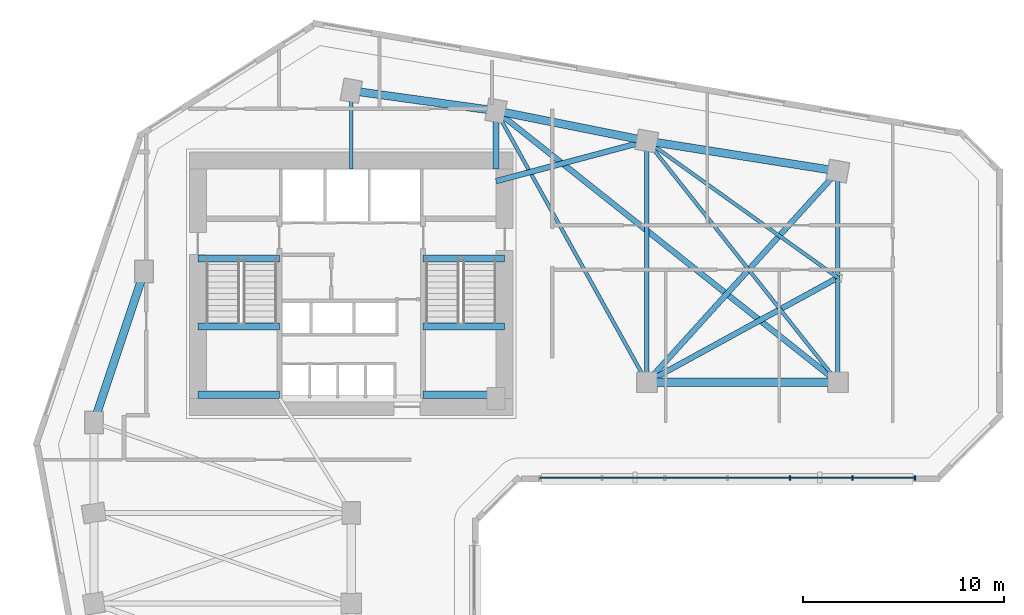
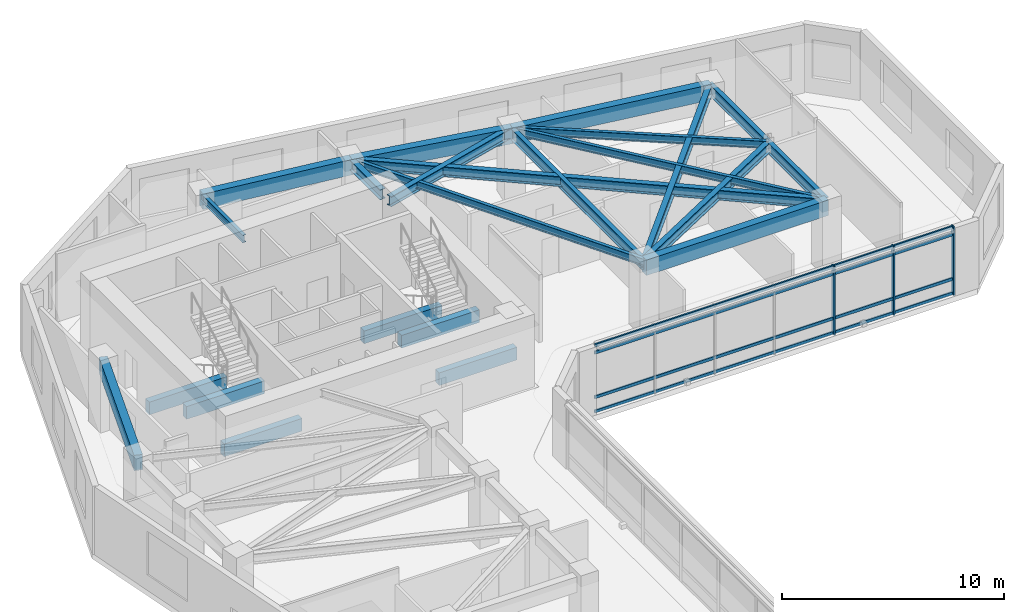
# One storey, part 3 of 9: 22 beams, 7 members, 1 element without a shape of its own.
"""IFC4 building model written with IfcOpenShell, lengths in metres."""

from ifc_helpers import new_model, si_unit, direction, frame, origin, origin_2d, place, context, subcontext, project, spatial, rectangle, i_section, extrude, source, transform, mapped, material, material_profile, profile_set, type_object, element, aggregate, save


model = new_model("IFC4")

# Units and contexts
model_context = context("Model", 3, precision=1e-05, world=origin(), true_north=direction((0.0, 1.0)))
body_context = subcontext(model_context, "Body", "Model", "MODEL_VIEW")
ifc_project = project(units=[si_unit("LENGTHUNIT", "METRE"), si_unit("AREAUNIT", "SQUARE_METRE"), si_unit("VOLUMEUNIT", "CUBIC_METRE"), si_unit("PLANEANGLEUNIT", "RADIAN"), si_unit("MASSUNIT", "GRAM", prefix="KILO")], contexts=[model_context])

# Site, building, storey
site_placement = place(None, origin())
site = spatial("IfcSite", under=ifc_project, at=site_placement, CompositionType="ELEMENT")
building_placement = place(site_placement, origin())
building = spatial("IfcBuilding", under=site, at=building_placement, Name="Calvemar Wedge Station Tower", CompositionType="ELEMENT")
storey_placement = place(building_placement, frame((0.0, 0.0, 63.0)))
storey = spatial("IfcBuildingStorey", under=building, at=storey_placement, Name="L15", CompositionType="ELEMENT", Elevation=63.0)

# Beams
ifc_material_1 = material(Name="Concrete C70", Category="concrete")
ifc_material_profile_1 = material_profile(ifc_material_1, rectangle(XDim=0.35009765625, YDim=0.699951171875, at=origin_2d()), Name="RC350x700")
ifc_profile_set_1 = profile_set([ifc_material_profile_1], Name="Concrete C70")
beam_type_1 = type_object("IfcBeamType", Name="BM-LN1-700", PredefinedType="LINTEL", material=ifc_profile_set_1)
shared_shape_1 = source(origin(), body_context, "Body", "SweptSolid", [
    extrude(rectangle(XDim=0.35009765625, YDim=0.699951171875, at=origin_2d()), origin(), (0.0, 0.0, 1.0), 4.054931640625),
])
for number, where, z_axis, x_axis, name in (
    (1, (16.175048828125, 41.14990234375, -0.35009765625), (1.0, 0.0, 0.0), (0.0, 1.0, 0.0), "Storey L15 Stair ST-C1 Landing Trimmer Beam"),
    (2, (27.3701171875, 41.14990234375, -0.35009765625), (1.0, 0.0, 0.0), (0.0, 1.0, 0.0), "Storey L15 Stair ST-C2 Landing Trimmer Beam"),
    (3, (16.175048828125, 34.3798828125, 1.449951171875), (1.0, 0.0, 0.0), (0.0, 1.0, 0.0), "Storey L15 Stair ST-C1 Half-Landing Beam 1A"),
    (4, (16.175048828125, 37.780029296875, 1.449951171875), (1.0, 0.0, 0.0), (0.0, 1.0, 0.0), "Storey L15 Stair ST-C1 Half-Landing Beam 1B"),
    (5, (27.3701171875, 34.3798828125, 1.449951171875), (1.0, 0.0, 0.0), (0.0, 1.0, 0.0), "Storey L15 Stair ST-C2 Half-Landing Beam 1A"),
    (6, (27.3701171875, 37.780029296875, 1.449951171875), (1.0, 0.0, 0.0), (0.0, 1.0, 0.0), "Storey L15 Stair ST-C2 Half-Landing Beam 1B"),
):
    element("IfcBeam", number, at=place(storey_placement, frame(where, z_axis=z_axis, x_axis=x_axis)), inside=storey, type_object=beam_type_1, Name=name, PredefinedType="LINTEL", context=body_context, shape_type="MappedRepresentation", body=[
        mapped(shared_shape_1, transform((0.0, 0.0, 0.0), scale=1.0)),
    ])
ifc_material_2 = material(Name="Concrete C60", Category="concrete")
ifc_material_profile_2 = material_profile(ifc_material_2, rectangle(XDim=0.39990234375, YDim=0.85009765625, at=origin_2d()), Name="RC400x850")
ifc_profile_set_2 = profile_set([ifc_material_profile_2], Name="Concrete C60")
beam_type_2 = type_object("IfcBeamType", Name="BM-SP1-850", PredefinedType="SPANDREL", material=ifc_profile_set_2)
shared_shape_2 = source(origin(), body_context, "Body", "SweptSolid", [
    extrude(rectangle(XDim=0.39990234375, YDim=0.85009765625, at=origin_2d()), origin(), (0.0, 0.0, 1.0), 7.90576171875),
])
beam_1_placement = place(storey_placement, frame((11.0, 33.0, 3.324951171875), z_axis=(0.316227766017, 0.948683298051, 0.0), x_axis=(-0.948683298051, 0.316227766017, 0.0)))
element("IfcBeam", 7, at=beam_1_placement, inside=storey, type_object=beam_type_2, Name="Storey L15 Spandrel T-NW1-T-NW2", PredefinedType="SPANDREL", context=body_context, shape_type="MappedRepresentation", body=[
    mapped(shared_shape_2, transform((0.0, 0.0, 0.0), scale=1.0)),
])
shared_shape_3 = source(origin(), body_context, "Body", "SweptSolid", [
    extrude(rectangle(XDim=0.39990234375, YDim=0.85009765625, at=origin_2d()), origin(), (0.0, 0.0, 1.0), 7.26904296875),
])
beam_2_placement = place(storey_placement, frame((23.800048828125, 49.5, 3.324951171875), z_axis=(0.990492146053, -0.13756928657, 0.0), x_axis=(0.13756928657, 0.990492146053, 0.0)))
element("IfcBeam", 8, at=beam_2_placement, inside=storey, type_object=beam_type_2, Name="Storey L15 Spandrel T-N1-T-N2", PredefinedType="SPANDREL", context=body_context, shape_type="MappedRepresentation", body=[
    mapped(shared_shape_3, transform((0.0, 0.0, 0.0), scale=1.0)),
])
shared_shape_4 = source(origin(), body_context, "Body", "SweptSolid", [
    extrude(rectangle(XDim=0.39990234375, YDim=0.85009765625, at=origin_2d()), origin(), (0.0, 0.0, 1.0), 7.6484375),
])
beam_3_placement = place(storey_placement, frame((31.0, 48.5, 3.324951171875), z_axis=(0.980580675691, -0.196116135138, 0.0), x_axis=(0.196116135138, 0.980580675691, 0.0)))
element("IfcBeam", 9, at=beam_3_placement, inside=storey, type_object=beam_type_2, Name="Storey L15 Spandrel T-N2-T-NU3", PredefinedType="SPANDREL", context=body_context, shape_type="MappedRepresentation", body=[
    mapped(shared_shape_4, transform((0.0, 0.0, 0.0), scale=1.0)),
])
shared_shape_5 = source(origin(), body_context, "Body", "SweptSolid", [
    extrude(rectangle(XDim=0.39990234375, YDim=0.85009765625, at=origin_2d()), origin(), (0.0, 0.0, 1.0), 9.61767578125),
])
beam_4_placement = place(storey_placement, frame((38.5, 47.0, 3.324951171875), z_axis=(0.987762965329, -0.155962573473, 0.0), x_axis=(0.155962573473, 0.987762965329, 0.0)))
element("IfcBeam", 10, at=beam_4_placement, inside=storey, type_object=beam_type_2, Name="Storey L15 Spandrel T-NU3-T-NU4", PredefinedType="SPANDREL", context=body_context, shape_type="MappedRepresentation", body=[
    mapped(shared_shape_5, transform((0.0, 0.0, 0.0), scale=1.0)),
])
shared_shape_6 = source(origin(), body_context, "Body", "SweptSolid", [
    extrude(rectangle(XDim=0.39990234375, YDim=0.85009765625, at=origin_2d()), origin(), (0.0, 0.0, 1.0), 9.5),
])
beam_5_placement = place(storey_placement, frame((38.5, 35.0, 3.324951171875), z_axis=(1.0, 0.0, 0.0), x_axis=(0.0, 1.0, 0.0)))
element("IfcBeam", 11, at=beam_5_placement, inside=storey, type_object=beam_type_2, Name="Storey L15 Spandrel T-NL2-T-NL3", PredefinedType="SPANDREL", context=body_context, shape_type="MappedRepresentation", body=[
    mapped(shared_shape_6, transform((0.0, 0.0, 0.0), scale=1.0)),
])
ifc_material_3 = material(Name="Structural steel ASTM A572 Grade 50", Category="steel")
ifc_material_profile_3 = material_profile(ifc_material_3, i_section(OverallWidth=0.22998046875, OverallDepth=0.616943359375, WebThickness=0.01318359375, FlangeThickness=0.022216796875, FilletRadius=0.012939453125, at=origin_2d()), Name="W610x140")
ifc_profile_set_3 = profile_set([ifc_material_profile_3], Name="Structural steel ASTM A572 Grade 50")
beam_type_3 = type_object("IfcBeamType", Name="BM-SB2-W610", PredefinedType="BEAM", material=ifc_profile_set_3)
shared_shape_7 = source(origin(), body_context, "Body", "SweptSolid", [
    extrude(i_section(OverallWidth=0.22998046875, OverallDepth=0.616943359375, WebThickness=0.01318359375, FlangeThickness=0.022216796875, FilletRadius=0.012939453125, at=origin_2d()), origin(), (0.0, 0.0, 1.0), 12.0),
])
beam_6_placement = place(storey_placement, frame((38.5, 47.0, 3.44140625), z_axis=(0.0, -1.0, 0.0), x_axis=(1.0, 0.0, 0.0)))
element("IfcBeam", 12, at=beam_6_placement, inside=storey, type_object=beam_type_3, Name="Storey L15 Floor Beam T-NU3-T-NL2", PredefinedType="BEAM", context=body_context, shape_type="MappedRepresentation", body=[
    mapped(shared_shape_7, transform((0.0, 0.0, 0.0), scale=1.0)),
])
shared_shape_8 = source(origin(), body_context, "Body", "SweptSolid", [
    extrude(i_section(OverallWidth=0.22998046875, OverallDepth=0.616943359375, WebThickness=0.01318359375, FlangeThickness=0.022216796875, FilletRadius=0.012939453125, at=origin_2d()), origin(), (0.0, 0.0, 1.0), 10.5),
])
beam_7_placement = place(storey_placement, frame((48.0, 45.5, 3.44140625), z_axis=(0.0, -1.0, 0.0), x_axis=(1.0, 0.0, 0.0)))
element("IfcBeam", 13, at=beam_7_placement, inside=storey, type_object=beam_type_3, Name="Storey L15 Floor Beam T-NU4-T-NL3", PredefinedType="BEAM", context=body_context, shape_type="MappedRepresentation", body=[
    mapped(shared_shape_8, transform((0.0, 0.0, 0.0), scale=1.0)),
])
ifc_material_profile_4 = material_profile(ifc_material_3, i_section(OverallWidth=0.177978515625, OverallDepth=0.406982421875, WebThickness=0.0078125, FlangeThickness=0.0126953125, FilletRadius=0.010009765625, at=origin_2d()), Name="W410x60")
ifc_profile_set_4 = profile_set([ifc_material_profile_4], Name="Structural steel ASTM A572 Grade 50")
beam_type_4 = type_object("IfcBeamType", Name="BM-J3-W410", PredefinedType="JOIST", material=ifc_profile_set_4)
shared_shape_9 = source(origin(), body_context, "Body", "SweptSolid", [
    extrude(i_section(OverallWidth=0.177978515625, OverallDepth=0.406982421875, WebThickness=0.0078125, FlangeThickness=0.0126953125, FilletRadius=0.010009765625, at=origin_2d()), origin(), (0.0, 0.0, 1.0), 15.443359375),
])
beam_8_placement = place(storey_placement, frame((31.0, 48.5, 3.54638671875), z_axis=(0.485642931179, -0.874157276122, 0.0), x_axis=(0.874157276122, 0.485642931179, 0.0)))
element("IfcBeam", 14, at=beam_8_placement, inside=storey, type_object=beam_type_4, Name="Storey L15 Floor Beam T-N2-T-NL2", PredefinedType="JOIST", context=body_context, shape_type="MappedRepresentation", body=[
    mapped(shared_shape_9, transform((0.0, 0.0, 0.0), scale=1.0)),
])
ifc_material_profile_5 = material_profile(ifc_material_3, i_section(OverallWidth=0.279052734375, OverallDepth=0.553955078125, WebThickness=0.017578125, FlangeThickness=0.029541015625, FilletRadius=0.014892578125, at=origin_2d()), Name="W530x196")
ifc_profile_set_5 = profile_set([ifc_material_profile_5], Name="Structural steel ASTM A572 Grade 50")
beam_type_5 = type_object("IfcBeamType", Name="BM-SB3-W530H", PredefinedType="BEAM", material=ifc_profile_set_5)
shared_shape_10 = source(origin(), body_context, "Body", "SweptSolid", [
    extrude(i_section(OverallWidth=0.279052734375, OverallDepth=0.553955078125, WebThickness=0.017578125, FlangeThickness=0.029541015625, FilletRadius=0.014892578125, at=origin_2d()), origin(), (0.0, 0.0, 1.0), 21.708251953125),
])
beam_9_placement = place(storey_placement, frame((31.0, 48.5, 3.472900390625), z_axis=(0.783110847498, -0.621882143602, 0.0), x_axis=(0.621882143602, 0.783110847498, 0.0)))
element("IfcBeam", 15, at=beam_9_placement, inside=storey, type_object=beam_type_5, Name="Storey L15 Floor Beam T-N2-T-NL3", PredefinedType="BEAM", context=body_context, shape_type="MappedRepresentation", body=[
    mapped(shared_shape_10, transform((0.0, 0.0, 0.0), scale=1.0)),
])
shared_shape_11 = source(origin(), body_context, "Body", "SweptSolid", [
    extrude(i_section(OverallWidth=0.177978515625, OverallDepth=0.406982421875, WebThickness=0.0078125, FlangeThickness=0.0126953125, FilletRadius=0.010009765625, at=origin_2d()), origin(), (0.0, 0.0, 1.0), 15.30517578125),
])
beam_10_placement = place(storey_placement, frame((38.5, 47.0, 3.54638671875), z_axis=(0.620702944366, -0.784045824462, 0.0), x_axis=(0.784045824462, 0.620702944366, 0.0)))
element("IfcBeam", 16, at=beam_10_placement, inside=storey, type_object=beam_type_4, Name="Storey L15 Floor Beam T-NU3-T-NL3", PredefinedType="JOIST", context=body_context, shape_type="MappedRepresentation", body=[
    mapped(shared_shape_11, transform((0.0, 0.0, 0.0), scale=1.0)),
])
shared_shape_12 = source(origin(), body_context, "Body", "SweptSolid", [
    extrude(i_section(OverallWidth=0.279052734375, OverallDepth=0.553955078125, WebThickness=0.017578125, FlangeThickness=0.029541015625, FilletRadius=0.014892578125, at=origin_2d()), origin(), (0.0, 0.0, 1.0), 14.159912109375),
])
beam_11_placement = place(storey_placement, frame((38.5, 35.0, 3.472900390625), z_axis=(0.670913323969, 0.741535779124, 0.0), x_axis=(-0.741535779124, 0.670913323969, 0.0)))
element("IfcBeam", 17, at=beam_11_placement, inside=storey, type_object=beam_type_5, Name="Storey L15 Floor Beam T-NL2-T-NU4", PredefinedType="BEAM", context=body_context, shape_type="MappedRepresentation", body=[
    mapped(shared_shape_12, transform((0.0, 0.0, 0.0), scale=1.0)),
])
shared_shape_13 = source(origin(), body_context, "Body", "SweptSolid", [
    extrude(i_section(OverallWidth=0.177978515625, OverallDepth=0.406982421875, WebThickness=0.0078125, FlangeThickness=0.0126953125, FilletRadius=0.010009765625, at=origin_2d()), origin(), (0.0, 0.0, 1.0), 11.682861328125),
])
beam_12_placement = place(storey_placement, frame((48.0, 40.199951171875, 3.54638671875), z_axis=(-0.81315274409, 0.582050354161, 0.0), x_axis=(-0.582050354161, -0.81315274409, 0.0)))
element("IfcBeam", 18, at=beam_12_placement, inside=storey, type_object=beam_type_4, Name="Storey L15 Floor Beam T-NTIP-A-T-NU3", PredefinedType="JOIST", context=body_context, shape_type="MappedRepresentation", body=[
    mapped(shared_shape_13, transform((0.0, 0.0, 0.0), scale=1.0)),
])
shared_shape_14 = source(origin(), body_context, "Body", "SweptSolid", [
    extrude(i_section(OverallWidth=0.279052734375, OverallDepth=0.553955078125, WebThickness=0.017578125, FlangeThickness=0.029541015625, FilletRadius=0.014892578125, at=origin_2d()), origin(), (0.0, 0.0, 1.0), 10.830078125),
])
beam_13_placement = place(storey_placement, frame((48.0, 40.199951171875, 3.472900390625), z_axis=(-0.877190767997, -0.480142017053, 0.0), x_axis=(0.480142017053, -0.877190767997, 0.0)))
element("IfcBeam", 19, at=beam_13_placement, inside=storey, type_object=beam_type_5, Name="Storey L15 Floor Beam T-NTIP-A-T-NL2", PredefinedType="BEAM", context=body_context, shape_type="MappedRepresentation", body=[
    mapped(shared_shape_14, transform((0.0, 0.0, 0.0), scale=1.0)),
])
shared_shape_15 = source(origin(), body_context, "Body", "SweptSolid", [
    extrude(i_section(OverallWidth=0.279052734375, OverallDepth=0.553955078125, WebThickness=0.017578125, FlangeThickness=0.029541015625, FilletRadius=0.014892578125, at=origin_2d()), origin(), (0.0, 0.0, 1.0), 7.76220703125),
])
beam_14_placement = place(storey_placement, frame((31.0, 45.0, 3.472900390625), z_axis=(0.966234939601, 0.25766265056, 0.0), x_axis=(-0.25766265056, 0.966234939601, 0.0)))
element("IfcBeam", 20, at=beam_14_placement, inside=storey, type_object=beam_type_5, Name="Storey L15 Core-to-Column Joist CJ-E2", PredefinedType="BEAM", context=body_context, shape_type="MappedRepresentation", body=[
    mapped(shared_shape_15, transform((0.0, 0.0, 0.0), scale=1.0)),
])
shared_shape_16 = source(origin(), body_context, "Body", "SweptSolid", [
    extrude(i_section(OverallWidth=0.177978515625, OverallDepth=0.406982421875, WebThickness=0.0078125, FlangeThickness=0.0126953125, FilletRadius=0.010009765625, at=origin_2d()), origin(), (0.0, 0.0, 1.0), 3.89990234375),
])
beam_15_placement = place(storey_placement, frame((23.800048828125, 45.60009765625, 3.54638671875), z_axis=(0.0, 1.0, 0.0), x_axis=(-1.0, 0.0, 0.0)))
element("IfcBeam", 21, at=beam_15_placement, inside=storey, type_object=beam_type_4, Name="Storey L15 Core-to-Column Joist CJ-N1", PredefinedType="JOIST", context=body_context, shape_type="MappedRepresentation", body=[
    mapped(shared_shape_16, transform((0.0, 0.0, 0.0), scale=1.0)),
])
shared_shape_17 = source(origin(), body_context, "Body", "SweptSolid", [
    extrude(i_section(OverallWidth=0.279052734375, OverallDepth=0.553955078125, WebThickness=0.017578125, FlangeThickness=0.029541015625, FilletRadius=0.014892578125, at=origin_2d()), origin(), (0.0, 0.0, 1.0), 2.89990234375),
])
beam_16_placement = place(storey_placement, frame((31.0, 45.60009765625, 3.472900390625), z_axis=(0.0, 1.0, 0.0), x_axis=(-1.0, 0.0, 0.0)))
element("IfcBeam", 22, at=beam_16_placement, inside=storey, type_object=beam_type_5, Name="Storey L15 Core-to-Column Joist CJ-N2", PredefinedType="BEAM", context=body_context, shape_type="MappedRepresentation", body=[
    mapped(shared_shape_17, transform((0.0, 0.0, 0.0), scale=1.0)),
])

# Curtain wall, members
ifc_material_4 = material(Name="Anodised aluminium 6063-T6", Category="aluminium")
curtain_wall_type = type_object("IfcCurtainWallType", Name="CW1", PredefinedType="NOTDEFINED", material=ifc_material_4)
curtain_wall_placement = place(storey_placement, origin())
curtain_wall = element("IfcCurtainWall", 23, at=curtain_wall_placement, inside=storey, type_object=curtain_wall_type, Name="Storey L15 CW1 Recessed Unitised Curtain Wall 6", PredefinedType="NOTDEFINED")
ifc_material_profile_6 = material_profile(ifc_material_4, rectangle(XDim=0.080078125, YDim=0.219970703125, at=origin_2d()), Name="AL-MUL-80x220")
ifc_profile_set_6 = profile_set([ifc_material_profile_6], Name="Anodised aluminium 6063-T6")
member_type_1 = type_object("IfcMemberType", Name="CW1-MUL", PredefinedType="MULLION", material=ifc_profile_set_6)
shared_shape_18 = source(origin(), body_context, "Body", "SweptSolid", [
    extrude(rectangle(XDim=0.080078125, YDim=0.219970703125, at=origin_2d()), origin(), (0.0, 0.0, 1.0), 3.800048828125),
])
member_1_placement = place(storey_placement, frame((45.614013671875, 30.238037109375, -0.050048828125), z_axis=(0.0, 0.0, 1.0), x_axis=(1.0, 0.0, 0.0)))
member_1 = element("IfcMember", 24, at=member_1_placement, type_object=member_type_1, Name="CW1 mullion 5", PredefinedType="MULLION", context=body_context, shape_type="MappedRepresentation", body=[
    mapped(shared_shape_18, transform((0.0, 0.0, 0.0), scale=1.0)),
])
member_2_placement = place(storey_placement, frame((48.725830078125, 30.238037109375, -0.050048828125), z_axis=(0.0, 0.0, 1.0), x_axis=(1.0, 0.0, 0.0)))
member_2 = element("IfcMember", 25, at=member_2_placement, type_object=member_type_1, Name="CW1 mullion 6", PredefinedType="MULLION", context=body_context, shape_type="MappedRepresentation", body=[
    mapped(shared_shape_18, transform((0.0, 0.0, 0.0), scale=1.0)),
])
member_3_placement = place(storey_placement, frame((51.837890625, 30.238037109375, -0.050048828125), z_axis=(0.0, 0.0, 1.0), x_axis=(1.0, 0.0, 0.0)))
member_3 = element("IfcMember", 26, at=member_3_placement, type_object=member_type_1, Name="CW1 mullion 7", PredefinedType="MULLION", context=body_context, shape_type="MappedRepresentation", body=[
    mapped(shared_shape_18, transform((0.0, 0.0, 0.0), scale=1.0)),
])
ifc_material_profile_7 = material_profile(ifc_material_4, rectangle(XDim=0.080078125, YDim=0.159912109375, at=origin_2d()), Name="AL-TRN-80x160")
ifc_profile_set_7 = profile_set([ifc_material_profile_7], Name="Anodised aluminium 6063-T6")
member_type_2 = type_object("IfcMemberType", Name="CW1-TRN", PredefinedType="USERDEFINED", material=ifc_profile_set_7)
shared_shape_19 = source(origin(), body_context, "Body", "SweptSolid", [
    extrude(rectangle(XDim=0.080078125, YDim=0.159912109375, at=origin_2d()), origin(), (0.0, 0.0, 1.0), 18.671875),
])
member_4_placement = place(storey_placement, frame((33.166015625, 30.238037109375, 0.06005859375), z_axis=(1.0, 0.0, 0.0), x_axis=(0.0, 1.0, 0.0)))
member_4 = element("IfcMember", 27, at=member_4_placement, type_object=member_type_2, Name="CW1 transom 1", ObjectType="TRANSOM", PredefinedType="USERDEFINED", context=body_context, shape_type="MappedRepresentation", body=[
    mapped(shared_shape_19, transform((0.0, 0.0, 0.0), scale=1.0)),
])
member_5_placement = place(storey_placement, frame((33.166015625, 30.238037109375, 0.85009765625), z_axis=(1.0, 0.0, 0.0), x_axis=(0.0, 1.0, 0.0)))
member_5 = element("IfcMember", 28, at=member_5_placement, type_object=member_type_2, Name="CW1 transom 2", ObjectType="TRANSOM", PredefinedType="USERDEFINED", context=body_context, shape_type="MappedRepresentation", body=[
    mapped(shared_shape_19, transform((0.0, 0.0, 0.0), scale=1.0)),
])
member_6_placement = place(storey_placement, frame((33.166015625, 30.238037109375, 3.300048828125), z_axis=(1.0, 0.0, 0.0), x_axis=(0.0, 1.0, 0.0)))
member_6 = element("IfcMember", 29, at=member_6_placement, type_object=member_type_2, Name="CW1 transom 3", ObjectType="TRANSOM", PredefinedType="USERDEFINED", context=body_context, shape_type="MappedRepresentation", body=[
    mapped(shared_shape_19, transform((0.0, 0.0, 0.0), scale=1.0)),
])
member_7_placement = place(storey_placement, frame((33.166015625, 30.238037109375, 3.68994140625), z_axis=(1.0, 0.0, 0.0), x_axis=(0.0, 1.0, 0.0)))
member_7 = element("IfcMember", 30, at=member_7_placement, type_object=member_type_2, Name="CW1 transom 4", ObjectType="TRANSOM", PredefinedType="USERDEFINED", context=body_context, shape_type="MappedRepresentation", body=[
    mapped(shared_shape_19, transform((0.0, 0.0, 0.0), scale=1.0)),
])
aggregate(curtain_wall, [member_1, member_2, member_3, member_4, member_5, member_6, member_7])

save(model, "model.ifc")
